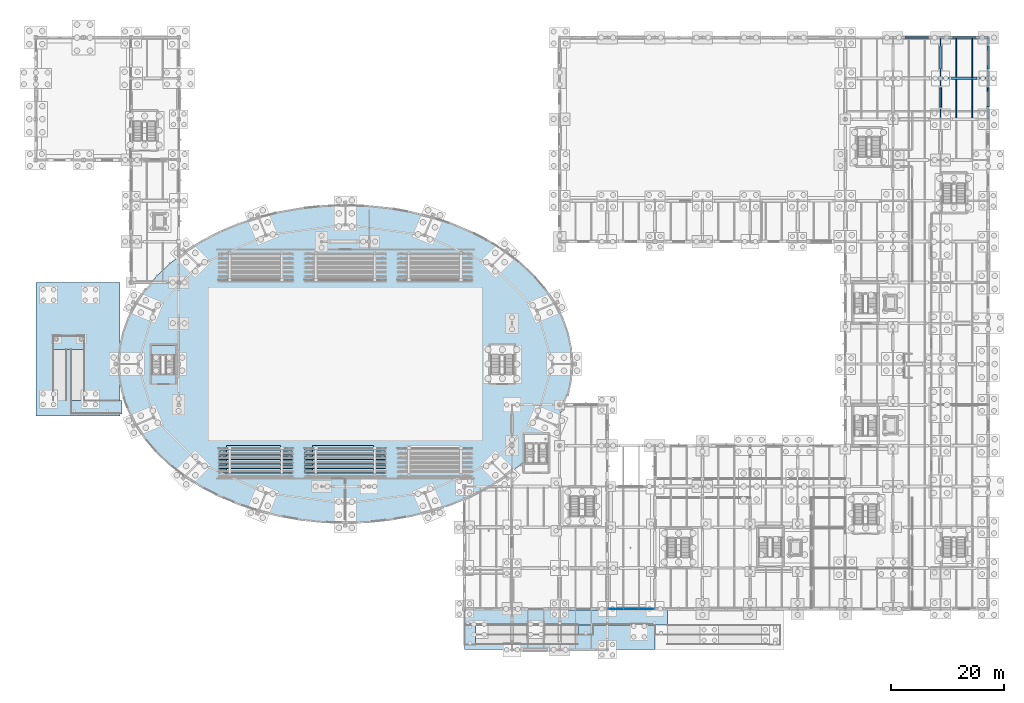
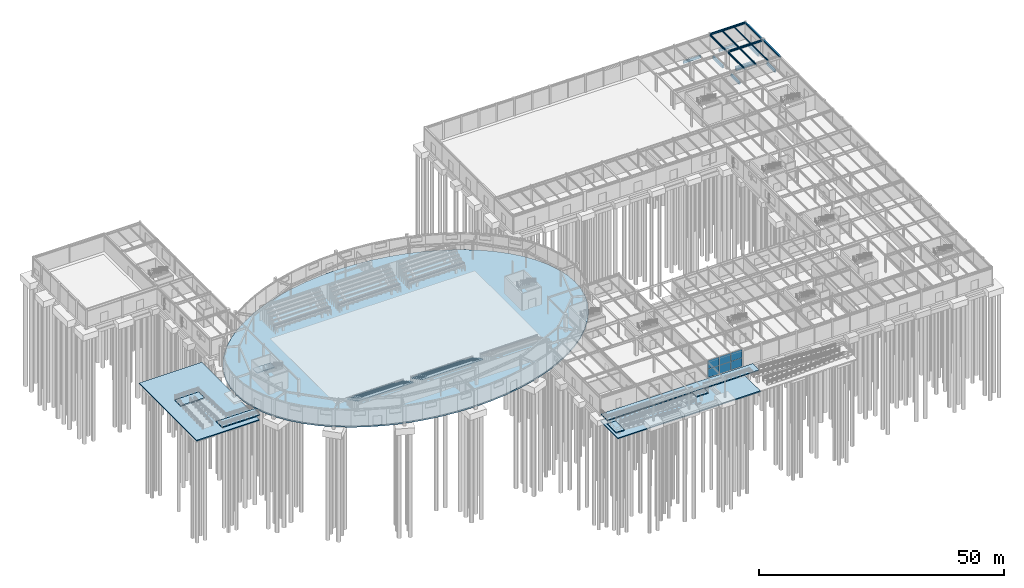
# One storey, part 48 of 93: 21 slabs, 17 beams, 6 plates, 4 elements without a shape of their own.
"""IFC4 building model written with IfcOpenShell, lengths in metres."""

import ifcopenshell
import ifcopenshell.guid

model = None  # the IFC model being written
_history = None  # IfcOwnerHistory: only IFC2X3 demands one
_inside = {}  # id of a spatial element -> (the spatial element, [elements in it])
_under = {}  # id of a project, library or spatial element -> (it, [spatial elements below it])
_declared = {}  # id of a project -> (the project, [libraries it declares])
_typed = {}  # id of a type object -> (the type object, [elements of that type])
_made_of = {}  # id of a material, layer set ... -> (it, [elements and type objects made of it])


def new_model(schema):
    """Start an empty IFC model of exactly this schema.

    Asked for "IFC4X3", IfcOpenShell would pick the latest addendum, in which some entities
    have other attributes; the version numbers below select the first issue.
    IFC2X3 requires an IfcOwnerHistory on every rooted entity: one is made here for all.
    """
    global model, _history
    if schema == "IFC4X3":
        model = ifcopenshell.file(schema_version=(4, 3, 0, 0))
    else:
        model = ifcopenshell.file(schema=schema)
    _inside.clear()
    _under.clear()
    _declared.clear()
    _typed.clear()
    _made_of.clear()
    _history = None
    if model.schema == "IFC2X3":
        org = make("IfcOrganization", Name="unknown")
        user = make(
            "IfcPersonAndOrganization",
            ThePerson=make("IfcPerson", FamilyName="unknown"),
            TheOrganization=org,
        )
        app = make(
            "IfcApplication",
            ApplicationDeveloper=org,
            Version="unknown",
            ApplicationFullName="unknown",
            ApplicationIdentifier="unknown",
        )
        _history = make(
            "IfcOwnerHistory",
            OwningUser=user,
            OwningApplication=app,
            ChangeAction="ADDED",
            CreationDate=0,
        )
    return model


def make(cls, **values):
    """One entity of the class cls with the attributes given. An attribute that is None is left unset."""
    return model.create_entity(
        cls, **{name: value for name, value in values.items() if value is not None}
    )


def rooted(cls, **values):
    """An entity with a GlobalId (a new one), such as an element, a storey or a relation."""
    return make(cls, GlobalId=ifcopenshell.guid.new(), OwnerHistory=_history, **values)


def si_unit(unit_type, name, prefix=None):
    """IfcSIUnit, for example si_unit("LENGTHUNIT", "METRE", prefix="MILLI")."""
    return make("IfcSIUnit", UnitType=unit_type, Prefix=prefix, Name=name)


def derived_unit(unit_type, elements):
    """IfcDerivedUnit: a product of units, each with its exponent."""
    return make(
        "IfcDerivedUnit",
        Elements=[
            make("IfcDerivedUnitElement", Unit=unit, Exponent=power)
            for unit, power in elements
        ],
        UnitType=unit_type,
    )


def assignment(units):
    """IfcUnitAssignment: the units of a project."""
    return None if units is None else make("IfcUnitAssignment", Units=units)


def point(xyz):
    """IfcCartesianPoint."""
    return None if xyz is None else make("IfcCartesianPoint", Coordinates=xyz)


def direction(xyz):
    """IfcDirection."""
    return None if xyz is None else make("IfcDirection", DirectionRatios=xyz)


def frame(location, z_axis=None, x_axis=None):
    """IfcAxis2Placement3D, a coordinate frame: its origin and axes. An axis left out is left unset."""
    return make(
        "IfcAxis2Placement3D",
        Location=point(location),
        Axis=direction(z_axis),
        RefDirection=direction(x_axis),
    )


def frame_2d(location, x_axis=None):
    """IfcAxis2Placement2D, a coordinate frame in the plane: its origin and x axis."""
    return make(
        "IfcAxis2Placement2D", Location=point(location), RefDirection=direction(x_axis)
    )


def origin():
    """The frame at (0, 0, 0) with its axes left unset."""
    return frame((0.0, 0.0, 0.0))


def origin_2d():
    """The frame at (0, 0) in the plane with its x axis left unset."""
    return frame_2d((0.0, 0.0))


def place(relative_to, where):
    """IfcLocalPlacement: puts the frame where relative to a parent placement (None: the world)."""
    return make(
        "IfcLocalPlacement", PlacementRelTo=relative_to, RelativePlacement=where
    )


def context(
    kind, dimensions, precision=None, world=None, true_north=None, identifier=None
):
    """IfcGeometricRepresentationContext, for example the 3D "Model" context."""
    return make(
        "IfcGeometricRepresentationContext",
        ContextIdentifier=identifier,
        ContextType=kind,
        CoordinateSpaceDimension=dimensions,
        Precision=precision,
        WorldCoordinateSystem=world,
        TrueNorth=true_north,
    )


def subcontext(parent, identifier, kind, view, scale=None):
    """IfcGeometricRepresentationSubContext, for example "Body" below "Model"."""
    return make(
        "IfcGeometricRepresentationSubContext",
        ContextIdentifier=identifier,
        ContextType=kind,
        ParentContext=parent,
        TargetScale=scale,
        TargetView=view,
    )


def project(units=None, contexts=None):
    """IfcProject with its units and contexts."""
    return rooted(
        "IfcProject",
        Name="project",
        RepresentationContexts=contexts,
        UnitsInContext=assignment(units),
    )


def spatial(cls, under=None, at=None, **own):
    """A site, building, storey or space (cls), placed at a placement, below another one or the project."""
    s = rooted(cls, ObjectPlacement=at, **own)
    if under is not None:
        _under.setdefault(under.id(), (under, []))[1].append(s)
    return s


def polyline(points):
    """IfcPolyline through the points."""
    return make("IfcPolyline", Points=[point(p) for p in points])


def profile(cls, at=None, kind="AREA", **sizes):
    """A parametric profile (cls). Its sizes go by their IFC names, for example OverallWidth=200.0."""
    return make(cls, ProfileType=kind, Position=at, **sizes)


def rectangle(**sizes):
    """IfcRectangleProfileDef."""
    return profile("IfcRectangleProfileDef", **sizes)


def i_section(**sizes):
    """IfcIShapeProfileDef."""
    return profile("IfcIShapeProfileDef", **sizes)


def outline(outer, holes=None, kind="AREA"):
    """IfcArbitraryClosedProfileDef: a profile drawn as a closed curve; with holes, ...WithVoids."""
    if holes is None:
        return make("IfcArbitraryClosedProfileDef", ProfileType=kind, OuterCurve=outer)
    return make(
        "IfcArbitraryProfileDefWithVoids",
        ProfileType=kind,
        OuterCurve=outer,
        InnerCurves=holes,
    )


def extrude(swept, where, along, depth):
    """IfcExtrudedAreaSolid: the profile swept, set in the frame where, extruded along a direction by depth."""
    return make(
        "IfcExtrudedAreaSolid",
        SweptArea=swept,
        Position=where,
        ExtrudedDirection=direction(along),
        Depth=depth,
    )


def shape(context_of_items, identifier, shape_type, items):
    """IfcShapeRepresentation: the items that make up one representation, for example the "Body"."""
    return make(
        "IfcShapeRepresentation",
        ContextOfItems=context_of_items,
        RepresentationIdentifier=identifier,
        RepresentationType=shape_type,
        Items=items,
    )


def material(Name=None, Category=None):
    """IfcMaterial."""
    return make("IfcMaterial", Name=Name, Category=Category)


def layer(
    of_material, thickness, ventilated=None, Name=None, Category=None, Priority=None
):
    """IfcMaterialLayer: one layer of a wall or slab, of a material (None: an air gap)."""
    return make(
        "IfcMaterialLayer",
        Material=of_material,
        LayerThickness=thickness,
        IsVentilated=ventilated,
        Name=Name,
        Category=Category,
        Priority=Priority,
    )


def layer_set(layers, Name=None):
    """IfcMaterialLayerSet."""
    return make("IfcMaterialLayerSet", MaterialLayers=layers, LayerSetName=Name)


def material_profile(
    of_material, cross_section, Name=None, Category=None, Priority=None
):
    """IfcMaterialProfile: a cross section and its material."""
    return make(
        "IfcMaterialProfile",
        Name=Name,
        Material=of_material,
        Profile=cross_section,
        Priority=Priority,
        Category=Category,
    )


def profile_set(profiles, Name=None, composite=None):
    """IfcMaterialProfileSet."""
    return make(
        "IfcMaterialProfileSet",
        Name=Name,
        MaterialProfiles=profiles,
        CompositeProfile=composite,
    )


def made_of(thing, what):
    """Note that an element or type object is made of a material, layer set ...; save() writes the relation."""
    if what is not None:
        _made_of.setdefault(what.id(), (what, []))[1].append(thing)
    return thing


def type_object(cls, material=None, **own):
    """A type object (cls), such as IfcWallType, which elements share."""
    return made_of(rooted(cls, **own), material)


def element(
    cls,
    number,
    at=None,
    inside=None,
    cuts=None,
    type_object=None,
    material=None,
    context=None,
    identifier="Body",
    shape_type=None,
    held_by="IfcProductDefinitionShape",
    body=None,
    shapes=None,
    **own,
):
    """One element of the class cls, such as IfcWall. Its Tag is "e" and its number.

    at: its placement. inside: the storey or other place that contains it. cuts: it is an
    opening in that element (IfcRelVoidsElement). A single representation is given by context,
    identifier, shape_type and body (its items); several are given by shapes. held_by: the class
    of the entity that holds the representations. save() writes the other relations.
    """
    e = rooted(cls, Tag="e%d" % number, ObjectPlacement=at, **own)
    if body is not None:
        shapes = [shape(context, identifier, shape_type, body)]
    if shapes is not None:
        e.Representation = make(held_by, Representations=shapes)
    if inside is not None:
        _inside.setdefault(inside.id(), (inside, []))[1].append(e)
    if cuts is not None:
        rooted(
            "IfcRelVoidsElement", RelatingBuildingElement=cuts, RelatedOpeningElement=e
        )
    if type_object is not None:
        _typed.setdefault(type_object.id(), (type_object, []))[1].append(e)
    return made_of(e, material)


def aggregate(whole, parts):
    """IfcRelAggregates: a whole, such as a stair, and the parts it consists of."""
    return rooted("IfcRelAggregates", RelatingObject=whole, RelatedObjects=parts)


def save(model, path):
    """Write the relations noted so far, then the file.

    IfcRelAggregates (storeys below a building ...), IfcRelContainedInSpatialStructure (elements
    in a storey), IfcRelDefinesByType, IfcRelAssociatesMaterial and IfcRelDeclares: one each for
    every whole, place, type object, material and project.
    """
    for whole, parts in _under.values():
        aggregate(whole, parts)
    for where, things in _inside.values():
        rooted(
            "IfcRelContainedInSpatialStructure",
            RelatedElements=things,
            RelatingStructure=where,
        )
    for kind, things in _typed.values():
        rooted("IfcRelDefinesByType", RelatedObjects=things, RelatingType=kind)
    for what, things in _made_of.values():
        rooted("IfcRelAssociatesMaterial", RelatedObjects=things, RelatingMaterial=what)
    for by, libraries in _declared.values():
        rooted("IfcRelDeclares", RelatingContext=by, RelatedDefinitions=libraries)
    model.write(path)


model = new_model("IFC4")

# Units and contexts
model_context = context("Model", 3, precision=1e-05, world=origin(), true_north=direction((0.0, 1.0)))
body_context = subcontext(model_context, "Body", "Model", "MODEL_VIEW")
ifc_project = project(units=[si_unit("LENGTHUNIT", "METRE"), si_unit("AREAUNIT", "SQUARE_METRE"), si_unit("VOLUMEUNIT", "CUBIC_METRE"), si_unit("PLANEANGLEUNIT", "RADIAN"), si_unit("MASSUNIT", "GRAM", prefix="KILO"), derived_unit("THERMALTRANSMITTANCEUNIT", [(si_unit("MASSUNIT", "GRAM", prefix="KILO"), 1), (si_unit("TIMEUNIT", "SECOND"), -3), (si_unit("THERMODYNAMICTEMPERATUREUNIT", "KELVIN"), -1)])], contexts=[model_context])

# Site, building, storey
site_placement = place(None, origin())
site = spatial("IfcSite", under=ifc_project, at=site_placement, CompositionType="ELEMENT")
building_placement = place(site_placement, origin())
building = spatial("IfcBuilding", under=site, at=building_placement, Name="Kharveza Railside Sports Centre", CompositionType="ELEMENT")
storey_placement = place(building_placement, origin())
storey = spatial("IfcBuildingStorey", under=building, at=storey_placement, Name="L00", CompositionType="ELEMENT", Elevation=0.0)

# Beams
ifc_material_1 = material(Name="Steel S355J2", Category="steel")
ifc_material_profile_1 = material_profile(ifc_material_1, i_section(OverallWidth=0.18994140625, OverallDepth=0.449951171875, WebThickness=0.009521484375, FlangeThickness=0.0146484375, FilletRadius=0.02099609375, at=origin_2d()), Name="IPE 450")
ifc_profile_set_1 = profile_set([ifc_material_profile_1], Name="Steel S355J2")
beam_type_1 = type_object("IfcBeamType", Name="BM-G04", PredefinedType="T_BEAM", material=ifc_profile_set_1)
for number, where, z_axis, x_axis, name in (
    (1, (159.60009765625, 93.60009765625, 4.094970703125), (0.0, 1.0, 0.0), (-1.0, 0.0, 0.0), "BM-NS-L00-B04-X1596-Y936"),
    (2, (159.60009765625, 100.800048828125, 3.9951171875), (0.0, 1.0, 0.0), (-1.0, 0.0, 0.0), "BM-NS-L00-B04-X1596-Y1008"),
):
    element("IfcBeam", number, at=place(storey_placement, frame(where, z_axis=z_axis, x_axis=x_axis)), inside=storey, type_object=beam_type_1, Name=name, PredefinedType="T_BEAM", context=body_context, shape_type="SweptSolid", body=[
        extrude(i_section(OverallWidth=0.18994140625, OverallDepth=0.449951171875, WebThickness=0.009521484375, FlangeThickness=0.0146484375, FilletRadius=0.02099609375, at=origin_2d()), origin(), (0.0, 0.0, 1.0), 7.199951171875),
    ])
ifc_material_profile_2 = material_profile(ifc_material_1, i_section(OverallWidth=0.300048828125, OverallDepth=0.449951171875, WebThickness=0.013916015625, FlangeThickness=0.02587890625, FilletRadius=0.027099609375, at=origin_2d()), Name="HEB 450")
ifc_profile_set_2 = profile_set([ifc_material_profile_2], Name="Steel S355J2")
beam_type_2 = type_object("IfcBeamType", Name="BM-G06", PredefinedType="T_BEAM", material=ifc_profile_set_2)
beam_1_placement = place(storey_placement, frame((159.60009765625, 100.800048828125, 3.9951171875), z_axis=(1.0, 0.0, 0.0), x_axis=(0.0, 1.0, 0.0)))
element("IfcBeam", 3, at=beam_1_placement, inside=storey, type_object=beam_type_2, Name="BM-EW-L00-B06-X1596-Y1008", PredefinedType="T_BEAM", context=body_context, shape_type="SweptSolid", body=[
    extrude(i_section(OverallWidth=0.300048828125, OverallDepth=0.449951171875, WebThickness=0.013916015625, FlangeThickness=0.02587890625, FilletRadius=0.027099609375, at=origin_2d()), origin(), (0.0, 0.0, 1.0), 8.39990234375),
])
ifc_material_2 = material(Name="Concrete C35/45", Category="concrete")
ifc_material_profile_3 = material_profile(ifc_material_2, rectangle(XDim=0.39990234375, YDim=0.64990234375, at=origin_2d()), Name="RCB 400x650")
ifc_profile_set_3 = profile_set([ifc_material_profile_3], Name="Concrete C35/45")
beam_type_3 = type_object("IfcBeamType", Name="BM-RC02", PredefinedType="BEAM", material=ifc_profile_set_3)
for number, where, z_axis, x_axis, name in (
    (4, (159.60009765625, 102.4599609375, -0.7451171875), (0.0, 1.0, 0.0), (-1.0, 0.0, 0.0), "BM-PLINTH-NS-B26-X1596-Y1008-1"),
    (5, (168.0, 102.4599609375, -0.7451171875), (0.0, 1.0, 0.0), (-1.0, 0.0, 0.0), "BM-PLINTH-NS-B26-X1680-Y1008-1"),
):
    element("IfcBeam", number, at=place(storey_placement, frame(where, z_axis=z_axis, x_axis=x_axis)), inside=storey, type_object=beam_type_3, Name=name, PredefinedType="BEAM", context=body_context, shape_type="SweptSolid", body=[
        extrude(rectangle(XDim=0.39990234375, YDim=0.64990234375, at=origin_2d()), origin(), (0.0, 0.0, 1.0), 4.080078125),
    ])
ifc_material_profile_4 = material_profile(ifc_material_2, rectangle(XDim=0.449951171875, YDim=0.85009765625, at=origin_2d()), Name="RCB 450x850")
ifc_profile_set_4 = profile_set([ifc_material_profile_4], Name="Concrete C35/45")
beam_type_4 = type_object("IfcBeamType", Name="BM-RC05", PredefinedType="T_BEAM", material=ifc_profile_set_4)
beam_2_placement = place(storey_placement, frame((161.56005859375, 100.800048828125, -0.844970703125), z_axis=(1.0, 0.0, 0.0), x_axis=(0.0, 1.0, 0.0)))
element("IfcBeam", 6, at=beam_2_placement, inside=storey, type_object=beam_type_4, Name="BM-PLINTH-EW-B29-X1596-Y1008-1", PredefinedType="T_BEAM", context=body_context, shape_type="SweptSolid", body=[
    extrude(rectangle(XDim=0.449951171875, YDim=0.85009765625, at=origin_2d()), origin(), (0.0, 0.0, 1.0), 4.47998046875),
])
ifc_material_profile_5 = material_profile(ifc_material_2, rectangle(XDim=0.35009765625, YDim=0.60009765625, at=origin_2d()), Name="RCB 350x600")
ifc_profile_set_5 = profile_set([ifc_material_profile_5], Name="Concrete C35/45")
beam_type_5 = type_object("IfcBeamType", Name="BM-RC06", PredefinedType="BEAM", material=ifc_profile_set_5)
beam_3_placement = place(storey_placement, frame((159.60009765625, 95.735107421875, -0.719970703125), z_axis=(0.0, 1.0, 0.0), x_axis=(-1.0, 0.0, 0.0)))
element("IfcBeam", 7, at=beam_3_placement, inside=storey, type_object=beam_type_5, Name="BM-PLINTH-NS-B30-X1596-Y936-1", PredefinedType="BEAM", context=body_context, shape_type="SweptSolid", body=[
    extrude(rectangle(XDim=0.35009765625, YDim=0.60009765625, at=origin_2d()), origin(), (0.0, 0.0, 1.0), 3.40478515625),
])
beam_4_placement = place(storey_placement, frame((168.0, 95.760009765625, -0.719970703125), z_axis=(0.0, 1.0, 0.0), x_axis=(-1.0, 0.0, 0.0)))
element("IfcBeam", 8, at=beam_4_placement, inside=storey, type_object=beam_type_5, Name="BM-PLINTH-NS-B30-X1680-Y936-1", PredefinedType="BEAM", context=body_context, shape_type="SweptSolid", body=[
    extrude(rectangle(XDim=0.35009765625, YDim=0.60009765625, at=origin_2d()), origin(), (0.0, 0.0, 1.0), 3.3798828125),
])
ifc_material_3 = material(Name="Precast concrete C40/50", Category="concrete")
ifc_material_profile_6 = material_profile(ifc_material_3, rectangle(XDim=0.300048828125, YDim=0.64990234375, at=origin_2d()), Name="RCB 300x650")
ifc_profile_set_6 = profile_set([ifc_material_profile_6], Name="Precast concrete C40/50")
beam_type_6 = type_object("IfcBeamType", Name="BM-RC08", PredefinedType="SPANDREL", material=ifc_profile_set_6)
beam_5_placement = place(storey_placement, frame((153.360107421875, 108.0, -0.7451171875), z_axis=(1.0, 0.0, 0.0), x_axis=(0.0, 1.0, 0.0)))
element("IfcBeam", 9, at=beam_5_placement, inside=storey, type_object=beam_type_6, Name="BM-PLINTH-EW-B32-X1512-Y1080-1", PredefinedType="SPANDREL", context=body_context, shape_type="SweptSolid", body=[
    extrude(rectangle(XDim=0.300048828125, YDim=0.64990234375, at=origin_2d()), origin(), (0.0, 0.0, 1.0), 4.079833984375),
])
beam_6_placement = place(storey_placement, frame((161.760009765625, 108.0, -0.7451171875), z_axis=(1.0, 0.0, 0.0), x_axis=(0.0, 1.0, 0.0)))
element("IfcBeam", 10, at=beam_6_placement, inside=storey, type_object=beam_type_6, Name="BM-PLINTH-EW-B32-X1596-Y1080-1", PredefinedType="SPANDREL", context=body_context, shape_type="SweptSolid", body=[
    extrude(rectangle(XDim=0.300048828125, YDim=0.64990234375, at=origin_2d()), origin(), (0.0, 0.0, 1.0), 4.080078125),
])
ifc_material_profile_7 = material_profile(ifc_material_1, i_section(OverallWidth=0.179931640625, OverallDepth=0.39990234375, WebThickness=0.008544921875, FlangeThickness=0.013427734375, FilletRadius=0.02099609375, at=origin_2d()), Name="IPE 400")
ifc_profile_set_7 = profile_set([ifc_material_profile_7], Name="Steel S355J2")
beam_type_7 = type_object("IfcBeamType", Name="BM-S01", PredefinedType="BEAM", material=ifc_profile_set_7)
beam_7_placement = place(storey_placement, frame((162.39990234375, 93.701904296875, 4.02001953125), z_axis=(0.0, 1.0, 0.0), x_axis=(-1.0, 0.0, 0.0)))
element("IfcBeam", 11, at=beam_7_placement, inside=storey, type_object=beam_type_7, Name="BM-SEC-L00-B09-X1624-Y936", PredefinedType="BEAM", context=body_context, shape_type="SweptSolid", body=[
    extrude(i_section(OverallWidth=0.179931640625, OverallDepth=0.39990234375, WebThickness=0.008544921875, FlangeThickness=0.013427734375, FilletRadius=0.02099609375, at=origin_2d()), origin(), (0.0, 0.0, 1.0), 6.951171875),
])
ifc_material_profile_8 = material_profile(ifc_material_1, i_section(OverallWidth=0.159912109375, OverallDepth=0.330078125, WebThickness=0.007568359375, FlangeThickness=0.011474609375, FilletRadius=0.01806640625, at=origin_2d()), Name="IPE 330")
ifc_profile_set_8 = profile_set([ifc_material_profile_8], Name="Steel S355J2")
beam_type_8 = type_object("IfcBeamType", Name="BM-S03", PredefinedType="BEAM", material=ifc_profile_set_8)
beam_8_placement = place(storey_placement, frame((165.199951171875, 93.701904296875, 4.054931640625), z_axis=(0.0, 1.0, 0.0), x_axis=(-1.0, 0.0, 0.0)))
element("IfcBeam", 12, at=beam_8_placement, inside=storey, type_object=beam_type_8, Name="BM-SEC-L00-B11-X1652-Y936", PredefinedType="BEAM", context=body_context, shape_type="SweptSolid", body=[
    extrude(i_section(OverallWidth=0.159912109375, OverallDepth=0.330078125, WebThickness=0.007568359375, FlangeThickness=0.011474609375, FilletRadius=0.01806640625, at=origin_2d()), origin(), (0.0, 0.0, 1.0), 6.951171875),
])
beam_9_placement = place(storey_placement, frame((162.39990234375, 100.947021484375, 4.054931640625), z_axis=(0.0, 1.0, 0.0), x_axis=(-1.0, 0.0, 0.0)))
element("IfcBeam", 13, at=beam_9_placement, inside=storey, type_object=beam_type_8, Name="BM-SEC-L00-B11-X1624-Y1008", PredefinedType="BEAM", context=body_context, shape_type="SweptSolid", body=[
    extrude(i_section(OverallWidth=0.159912109375, OverallDepth=0.330078125, WebThickness=0.007568359375, FlangeThickness=0.011474609375, FilletRadius=0.01806640625, at=origin_2d()), origin(), (0.0, 0.0, 1.0), 6.906005859375),
])
ifc_material_profile_9 = material_profile(ifc_material_1, i_section(OverallWidth=0.135009765625, OverallDepth=0.27001953125, WebThickness=0.006591796875, FlangeThickness=0.01025390625, FilletRadius=0.014892578125, at=origin_2d()), Name="IPE 270")
ifc_profile_set_9 = profile_set([ifc_material_profile_9], Name="Steel S355J2")
beam_type_9 = type_object("IfcBeamType", Name="BM-S05", PredefinedType="BEAM", material=ifc_profile_set_9)
beam_10_placement = place(storey_placement, frame((165.199951171875, 100.947021484375, 4.0849609375), z_axis=(0.0, 1.0, 0.0), x_axis=(-1.0, 0.0, 0.0)))
element("IfcBeam", 14, at=beam_10_placement, inside=storey, type_object=beam_type_9, Name="BM-SEC-L00-B13-X1652-Y1008", PredefinedType="BEAM", context=body_context, shape_type="SweptSolid", body=[
    extrude(i_section(OverallWidth=0.135009765625, OverallDepth=0.27001953125, WebThickness=0.006591796875, FlangeThickness=0.01025390625, FilletRadius=0.014892578125, at=origin_2d()), origin(), (0.0, 0.0, 1.0), 6.906005859375),
])
ifc_material_profile_10 = material_profile(ifc_material_1, i_section(OverallWidth=0.300048828125, OverallDepth=0.43994140625, WebThickness=0.011474609375, FlangeThickness=0.02099609375, FilletRadius=0.027099609375, at=origin_2d()), Name="HEA 450")
ifc_profile_set_10 = profile_set([ifc_material_profile_10], Name="Steel S355J2")
beam_type_10 = type_object("IfcBeamType", Name="BM-SP01", PredefinedType="SPANDREL", material=ifc_profile_set_10)
beam_11_placement = place(storey_placement, frame((159.60009765625, 108.0, 4.0), z_axis=(1.0, 0.0, 0.0), x_axis=(0.0, 1.0, 0.0)))
element("IfcBeam", 15, at=beam_11_placement, inside=storey, type_object=beam_type_10, Name="BM-EW-L00-B15-X1596-Y1080", PredefinedType="SPANDREL", context=body_context, shape_type="SweptSolid", body=[
    extrude(i_section(OverallWidth=0.300048828125, OverallDepth=0.43994140625, WebThickness=0.011474609375, FlangeThickness=0.02099609375, FilletRadius=0.027099609375, at=origin_2d()), origin(), (0.0, 0.0, 1.0), 8.39990234375),
])
for number, where, z_axis, x_axis, name in (
    (16, (168.0, 93.60009765625, 4.10009765625), (0.0, 1.0, 0.0), (-1.0, 0.0, 0.0), "BM-NS-L00-B15-X1680-Y936"),
    (17, (168.0, 100.800048828125, 4.0), (0.0, 1.0, 0.0), (-1.0, 0.0, 0.0), "BM-NS-L00-B15-X1680-Y1008"),
):
    element("IfcBeam", number, at=place(storey_placement, frame(where, z_axis=z_axis, x_axis=x_axis)), inside=storey, type_object=beam_type_10, Name=name, PredefinedType="SPANDREL", context=body_context, shape_type="SweptSolid", body=[
        extrude(i_section(OverallWidth=0.300048828125, OverallDepth=0.43994140625, WebThickness=0.011474609375, FlangeThickness=0.02099609375, FilletRadius=0.027099609375, at=origin_2d()), origin(), (0.0, 0.0, 1.0), 7.199951171875),
    ])

# Curtain wall, plates
ifc_material_4 = material(Name="Low-E solar-control laminated glass", Category="glass")
curtain_wall_type = type_object("IfcCurtainWallType", Name="CW-WG03", PredefinedType="NOTDEFINED", material=ifc_material_4)
curtain_wall_placement = place(storey_placement, origin())
curtain_wall = element("IfcCurtainWall", 18, at=curtain_wall_placement, inside=storey, type_object=curtain_wall_type, Name="CW-WG-L00-CW-WG03-X1050-Y72", PredefinedType="NOTDEFINED")
ifc_layer_1 = layer(ifc_material_4, 0.0380859375, Name="Low-E solar-control laminated glass")
ifc_layer_set_1 = layer_set([ifc_layer_1], Name="Low-E solar-control laminated glass")
plate_type = type_object("IfcPlateType", Name="PL-CP03", PredefinedType="CURTAIN_PANEL", material=ifc_layer_set_1)
plate_1_placement = place(storey_placement, frame((102.280029296875, 7.199951171875, 0.02001953125), z_axis=(0.0, 0.0, 1.0), x_axis=(1.0, 0.0, 0.0)))
plate_1 = element("IfcPlate", 19, at=plate_1_placement, type_object=plate_type, Name="CW-WG-L00-CW-WG03-X1050-Y72-PN11", PredefinedType="CURTAIN_PANEL", context=body_context, shape_type="SweptSolid", body=[
    extrude(rectangle(XDim=2.679931640625, YDim=0.0380859375, at=origin_2d()), origin(), (0.0, 0.0, 1.0), 2.1201171875),
])
plate_2_placement = place(storey_placement, frame((102.280029296875, 7.199951171875, 2.179931640625), z_axis=(0.0, 0.0, 1.0), x_axis=(1.0, 0.0, 0.0)))
plate_2 = element("IfcPlate", 20, at=plate_2_placement, type_object=plate_type, Name="CW-WG-L00-CW-WG03-X1050-Y72-PN12", PredefinedType="CURTAIN_PANEL", context=body_context, shape_type="SweptSolid", body=[
    extrude(rectangle(XDim=2.679931640625, YDim=0.0380859375, at=origin_2d()), origin(), (0.0, 0.0, 1.0), 2.1201171875),
])
plate_3_placement = place(storey_placement, frame((105.0, 7.199951171875, 0.02001953125), z_axis=(0.0, 0.0, 1.0), x_axis=(1.0, 0.0, 0.0)))
plate_3 = element("IfcPlate", 21, at=plate_3_placement, type_object=plate_type, Name="CW-WG-L00-CW-WG03-X1050-Y72-PN21", PredefinedType="CURTAIN_PANEL", context=body_context, shape_type="SweptSolid", body=[
    extrude(rectangle(XDim=2.679931640625, YDim=0.0380859375, at=origin_2d()), origin(), (0.0, 0.0, 1.0), 2.1201171875),
])
plate_4_placement = place(storey_placement, frame((105.0, 7.199951171875, 2.179931640625), z_axis=(0.0, 0.0, 1.0), x_axis=(1.0, 0.0, 0.0)))
plate_4 = element("IfcPlate", 22, at=plate_4_placement, type_object=plate_type, Name="CW-WG-L00-CW-WG03-X1050-Y72-PN22", PredefinedType="CURTAIN_PANEL", context=body_context, shape_type="SweptSolid", body=[
    extrude(rectangle(XDim=2.679931640625, YDim=0.0380859375, at=origin_2d()), origin(), (0.0, 0.0, 1.0), 2.1201171875),
])
plate_5_placement = place(storey_placement, frame((107.719970703125, 7.199951171875, 0.02001953125), z_axis=(0.0, 0.0, 1.0), x_axis=(1.0, 0.0, 0.0)))
plate_5 = element("IfcPlate", 23, at=plate_5_placement, type_object=plate_type, Name="CW-WG-L00-CW-WG03-X1050-Y72-PN31", PredefinedType="CURTAIN_PANEL", context=body_context, shape_type="SweptSolid", body=[
    extrude(rectangle(XDim=2.679931640625, YDim=0.0380859375, at=origin_2d()), origin(), (0.0, 0.0, 1.0), 2.1201171875),
])
plate_6_placement = place(storey_placement, frame((107.719970703125, 7.199951171875, 2.179931640625), z_axis=(0.0, 0.0, 1.0), x_axis=(1.0, 0.0, 0.0)))
plate_6 = element("IfcPlate", 24, at=plate_6_placement, type_object=plate_type, Name="CW-WG-L00-CW-WG03-X1050-Y72-PN32", PredefinedType="CURTAIN_PANEL", context=body_context, shape_type="SweptSolid", body=[
    extrude(rectangle(XDim=2.679931640625, YDim=0.0380859375, at=origin_2d()), origin(), (0.0, 0.0, 1.0), 2.1201171875),
])
aggregate(curtain_wall, [plate_1, plate_2, plate_3, plate_4, plate_5, plate_6])

# Slabs
ifc_layer_2 = layer(ifc_material_2, 0.260009765625, Name="Concrete C35/45")
ifc_layer_set_2 = layer_set([ifc_layer_2], Name="Concrete C35/45")
slab_type_1 = type_object("IfcSlabType", Name="SL-BS260", PredefinedType="BASESLAB", material=ifc_layer_set_2)
slab_1_placement = place(storey_placement, frame((0.0, 0.0, -2.06005859375)))
element("IfcSlab", 25, at=slab_1_placement, inside=storey, type_object=slab_type_1, Name="SLB-L00-APRON", PredefinedType="BASESLAB", context=body_context, shape_type="SweptSolid", body=[
    extrude(outline(polyline([(75.60009765625, 0.0), (109.199951171875, 0.0), (109.199951171875, 7.199951171875), (75.60009765625, 7.199951171875), (75.60009765625, 0.0)])), origin(), (0.0, 0.0, 1.0), 0.260009765625),
])
slab_2_placement = place(storey_placement, frame((0.0, 0.0, -1.159912109375)))
element("IfcSlab", 26, at=slab_2_placement, inside=storey, type_object=slab_type_1, Name="SLB-L00-APRONW", PredefinedType="BASESLAB", context=body_context, shape_type="SweptSolid", body=[
    extrude(outline(polyline([(0.0, 41.199951171875), (14.800048828125, 41.199951171875), (14.800048828125, 64.800048828125), (0.0, 64.800048828125), (0.0, 41.199951171875)])), origin(), (0.0, 0.0, 1.0), 0.260009765625),
])
ifc_layer_3 = layer(ifc_material_2, 0.35009765625, Name="Concrete C35/45")
ifc_layer_set_3 = layer_set([ifc_layer_3], Name="Concrete C35/45")
slab_type_2 = type_object("IfcSlabType", Name="SL-BS350", PredefinedType="BASESLAB", material=ifc_layer_set_3)
slab_3_placement = place(storey_placement, frame((0.0, 0.0, -0.35009765625)))
element("IfcSlab", 27, at=slab_3_placement, inside=storey, type_object=slab_type_2, Name="SLB-L00-DRUM", PredefinedType="BASESLAB", context=body_context, shape_type="SweptSolid", body=[
    extrude(outline(polyline([(94.60009765625, 50.39990234375), (94.407470703125, 53.14453125), (93.831298828125, 55.862548828125), (92.877685546875, 58.528076171875), (91.55517578125, 61.115234375), (89.876953125, 63.59912109375), (87.85888671875, 65.9560546875), (85.5205078125, 68.1630859375), (82.88427734375, 70.198974609375), (79.975830078125, 72.044189453125), (76.82275390625, 73.68115234375), (73.455810546875, 75.09375), (69.9072265625, 76.2685546875), (66.21142578125, 77.1943359375), (62.403564453125, 77.862060546875), (58.520751953125, 78.26513671875), (54.60009765625, 78.39990234375), (50.67919921875, 78.26513671875), (46.79638671875, 77.862060546875), (42.988525390625, 77.1943359375), (39.292724609375, 76.2685546875), (35.744140625, 75.09375), (32.377197265625, 73.68115234375), (29.224365234375, 72.044189453125), (26.315673828125, 70.198974609375), (23.6796875, 68.1630859375), (21.34130859375, 65.9560546875), (19.3232421875, 63.59912109375), (17.644775390625, 61.115234375), (16.322509765625, 58.528076171875), (15.36865234375, 55.862548828125), (14.792724609375, 53.14453125), (14.60009765625, 50.39990234375), (14.792724609375, 47.655517578125), (15.36865234375, 44.9375), (16.322509765625, 42.27197265625), (17.644775390625, 39.684814453125), (19.3232421875, 37.200927734375), (21.34130859375, 34.843994140625), (23.6796875, 32.636962890625), (26.315673828125, 30.60107421875), (29.224365234375, 28.755615234375), (32.377197265625, 27.118896484375), (35.744140625, 25.706298828125), (39.292724609375, 24.53125), (42.988525390625, 23.605712890625), (46.79638671875, 22.93798828125), (50.67919921875, 22.534912109375), (54.60009765625, 22.39990234375), (58.520751953125, 22.534912109375), (62.403564453125, 22.93798828125), (66.21142578125, 23.605712890625), (69.9072265625, 24.53125), (73.455810546875, 25.706298828125), (76.82275390625, 27.118896484375), (79.975830078125, 28.755615234375), (82.88427734375, 30.60107421875), (85.5205078125, 32.636962890625), (87.85888671875, 34.843994140625), (89.876953125, 37.200927734375), (91.55517578125, 39.684814453125), (92.877685546875, 42.27197265625), (93.831298828125, 44.9375), (94.407470703125, 47.655517578125), (94.60009765625, 50.39990234375)])), origin(), (0.0, 0.0, 1.0), 0.35009765625),
])

# Stair, slab
stair_type = type_object("IfcStairType", Name="ST-A45", PredefinedType="TWO_STRAIGHT_RUN_STAIR", material=ifc_material_2)
stair_placement = place(storey_placement, origin())
stair = element("IfcStair", 28, at=stair_placement, inside=storey, type_object=stair_type, Name="STR-ST7-L00", PredefinedType="TWO_STRAIGHT_RUN_STAIR")
ifc_layer_4 = layer(ifc_material_2, 0.18505859375, Name="Concrete C35/45")
ifc_layer_set_4 = layer_set([ifc_layer_4], Name="Concrete C35/45")
slab_type_3 = type_object("IfcSlabType", Name="SL-LD185", PredefinedType="LANDING", material=ifc_layer_set_4)
slab_4_placement = place(storey_placement, frame((0.0, 0.0, 2.06494140625)))
slab_4 = element("IfcSlab", 29, at=slab_4_placement, type_object=slab_type_3, Name="STR-ST7-L00-HLND", PredefinedType="LANDING", context=body_context, shape_type="SweptSolid", body=[
    extrude(outline(polyline([(20.405029296875, 51.9599609375), (24.594970703125, 51.9599609375), (24.594970703125, 53.794921875), (20.405029296875, 53.794921875), (20.405029296875, 51.9599609375)])), origin(), (0.0, 0.0, 1.0), 0.18505859375),
])
aggregate(stair, [slab_4])

# Slab
ifc_layer_5 = layer(ifc_material_2, 0.2099609375, Name="Concrete C35/45")
ifc_layer_set_5 = layer_set([ifc_layer_5], Name="Concrete C35/45")
slab_type_4 = type_object("IfcSlabType", Name="SL-LD210", PredefinedType="LANDING", material=ifc_layer_set_5)
slab_5_placement = place(storey_placement, frame((0.0, 0.0, -0.2099609375)))
element("IfcSlab", 30, at=slab_5_placement, inside=storey, type_object=slab_type_4, Name="South Entrance Flood-Plinth Portico Deck", PredefinedType="LANDING", context=body_context, shape_type="SweptSolid", body=[
    extrude(outline(polyline([(75.60009765625, 4.39990234375), (111.39990234375, 4.39990234375), (111.39990234375, 7.0), (75.60009765625, 7.0), (75.60009765625, 4.39990234375)])), origin(), (0.0, 0.0, 1.0), 0.2099609375),
])

# Ramp, slabs
ramp_type_1 = type_object("IfcRampType", Name="RM-AP01", PredefinedType="TWO_STRAIGHT_RUN_RAMP", material=ifc_material_2)
ramp_1_placement = place(storey_placement, origin())
ramp_1 = element("IfcRamp", 31, at=ramp_1_placement, inside=storey, type_object=ramp_type_1, Name="RMP-EXT-W", PredefinedType="TWO_STRAIGHT_RUN_RAMP")
slab_6_placement = place(storey_placement, frame((0.0, 0.0, -1.110107421875)))
slab_6 = element("IfcSlab", 32, at=slab_6_placement, type_object=slab_type_4, Name="RMP-EXT-W-LND1", PredefinedType="LANDING", context=body_context, shape_type="SweptSolid", body=[
    extrude(outline(polyline([(75.60009765625, 0.800048828125), (77.60009765625, 0.800048828125), (77.60009765625, 4.39990234375), (75.60009765625, 4.39990234375), (75.60009765625, 0.800048828125)])), origin(), (0.0, 0.0, 1.0), 0.210205078125),
])
slab_7_placement = place(storey_placement, frame((0.0, 0.0, -0.2099609375)))
slab_7 = element("IfcSlab", 33, at=slab_7_placement, type_object=slab_type_4, Name="RMP-EXT-W-LND2", PredefinedType="LANDING", context=body_context, shape_type="SweptSolid", body=[
    extrude(outline(polyline([(95.60009765625, 2.580078125), (98.39990234375, 2.580078125), (98.39990234375, 4.39990234375), (95.60009765625, 4.39990234375), (95.60009765625, 2.580078125)])), origin(), (0.0, 0.0, 1.0), 0.2099609375),
])
aggregate(ramp_1, [slab_6, slab_7])

ramp_type_2 = type_object("IfcRampType", Name="RM-EX02", PredefinedType="TWO_STRAIGHT_RUN_RAMP", material=ifc_material_2)
ramp_2_placement = place(storey_placement, origin())
ramp_2 = element("IfcRamp", 34, at=ramp_2_placement, inside=storey, type_object=ramp_type_2, Name="RMP-EXT-DRUMW", PredefinedType="TWO_STRAIGHT_RUN_RAMP")
slab_8_placement = place(storey_placement, frame((0.0, 0.0, -0.659912109375)))
slab_8 = element("IfcSlab", 35, at=slab_8_placement, type_object=slab_type_4, Name="RMP-EXT-DRUMW-LND1", PredefinedType="LANDING", context=body_context, shape_type="SweptSolid", body=[
    extrude(outline(polyline([(3.0, 53.0), (8.60009765625, 53.0), (8.60009765625, 55.39990234375), (3.0, 55.39990234375), (3.0, 53.0)])), origin(), (0.0, 0.0, 1.0), 0.2099609375),
])
slab_9_placement = place(storey_placement, frame((0.0, 0.0, -0.2099609375)))
slab_9 = element("IfcSlab", 36, at=slab_9_placement, type_object=slab_type_4, Name="RMP-EXT-DRUMW-LND2", PredefinedType="LANDING", context=body_context, shape_type="SweptSolid", body=[
    extrude(outline(polyline([(6.199951171875, 41.60009765625), (15.199951171875, 41.60009765625), (15.199951171875, 44.0), (6.199951171875, 44.0), (6.199951171875, 41.60009765625)])), origin(), (0.0, 0.0, 1.0), 0.2099609375),
])
aggregate(ramp_2, [slab_8, slab_9])

# Slabs
ifc_layer_6 = layer(ifc_material_3, 0.14990234375, Name="Precast concrete C40/50")
ifc_layer_set_6 = layer_set([ifc_layer_6], Name="Precast concrete C40/50")
slab_type_5 = type_object("IfcSlabType", Name="SL-ST150", PredefinedType="USERDEFINED", material=ifc_layer_set_6)
slab_10_placement = place(storey_placement, frame((0.0, 0.0, 3.570068359375)))
element("IfcSlab", 37, at=slab_10_placement, inside=storey, type_object=slab_type_5, Name="Spectator Seating Tier S2-S1", ObjectType="SEATING_TIER", PredefinedType="USERDEFINED", context=body_context, shape_type="SweptSolid", body=[
    extrude(outline(polyline([(32.199951171875, 31.199951171875), (45.39990234375, 31.199951171875), (45.39990234375, 31.659912109375), (43.199951171875, 31.659912109375), (43.199951171875, 32.0), (33.60009765625, 32.0), (33.60009765625, 31.719970703125), (32.199951171875, 31.719970703125), (32.199951171875, 31.199951171875)])), origin(), (0.0, 0.0, 1.0), 0.14990234375),
])
slab_11_placement = place(storey_placement, frame((0.0, 0.0, 3.570068359375)))
element("IfcSlab", 38, at=slab_11_placement, inside=storey, type_object=slab_type_5, Name="Spectator Seating Tier S2-S2", ObjectType="SEATING_TIER", PredefinedType="USERDEFINED", context=body_context, shape_type="SweptSolid", body=[
    extrude(outline(polyline([(47.39990234375, 31.199951171875), (61.800048828125, 31.199951171875), (61.800048828125, 31.659912109375), (59.60009765625, 31.659912109375), (59.60009765625, 32.0), (48.800048828125, 32.0), (48.800048828125, 31.719970703125), (47.39990234375, 31.719970703125), (47.39990234375, 31.199951171875)])), origin(), (0.0, 0.0, 1.0), 0.14990234375),
])
slab_12_placement = place(storey_placement, frame((0.0, 0.0, 3.14990234375)))
element("IfcSlab", 39, at=slab_12_placement, inside=storey, type_object=slab_type_5, Name="Spectator Seating Tier S3-S1", ObjectType="SEATING_TIER", PredefinedType="USERDEFINED", context=body_context, shape_type="SweptSolid", body=[
    extrude(outline(polyline([(32.199951171875, 32.0), (45.39990234375, 32.0), (45.39990234375, 32.4599609375), (43.199951171875, 32.4599609375), (43.199951171875, 32.800048828125), (33.60009765625, 32.800048828125), (33.60009765625, 32.52001953125), (32.199951171875, 32.52001953125), (32.199951171875, 32.0)])), origin(), (0.0, 0.0, 1.0), 0.150146484375),
])
slab_13_placement = place(storey_placement, frame((0.0, 0.0, 3.14990234375)))
element("IfcSlab", 40, at=slab_13_placement, inside=storey, type_object=slab_type_5, Name="Spectator Seating Tier S3-S2", ObjectType="SEATING_TIER", PredefinedType="USERDEFINED", context=body_context, shape_type="SweptSolid", body=[
    extrude(outline(polyline([(47.39990234375, 32.0), (61.800048828125, 32.0), (61.800048828125, 32.4599609375), (59.60009765625, 32.4599609375), (59.60009765625, 32.800048828125), (48.800048828125, 32.800048828125), (48.800048828125, 32.52001953125), (47.39990234375, 32.52001953125), (47.39990234375, 32.0)])), origin(), (0.0, 0.0, 1.0), 0.150146484375),
])
slab_14_placement = place(storey_placement, frame((0.0, 0.0, 2.72998046875)))
element("IfcSlab", 41, at=slab_14_placement, inside=storey, type_object=slab_type_5, Name="Spectator Seating Tier S4-S1", ObjectType="SEATING_TIER", PredefinedType="USERDEFINED", context=body_context, shape_type="SweptSolid", body=[
    extrude(outline(polyline([(32.199951171875, 32.800048828125), (45.39990234375, 32.800048828125), (45.39990234375, 33.260009765625), (43.199951171875, 33.260009765625), (43.199951171875, 33.60009765625), (33.60009765625, 33.60009765625), (33.60009765625, 33.320068359375), (32.199951171875, 33.320068359375), (32.199951171875, 32.800048828125)])), origin(), (0.0, 0.0, 1.0), 0.14990234375),
])
slab_15_placement = place(storey_placement, frame((0.0, 0.0, 2.72998046875)))
element("IfcSlab", 42, at=slab_15_placement, inside=storey, type_object=slab_type_5, Name="Spectator Seating Tier S4-S2", ObjectType="SEATING_TIER", PredefinedType="USERDEFINED", context=body_context, shape_type="SweptSolid", body=[
    extrude(outline(polyline([(47.39990234375, 32.800048828125), (61.800048828125, 32.800048828125), (61.800048828125, 33.260009765625), (59.60009765625, 33.260009765625), (59.60009765625, 33.60009765625), (48.800048828125, 33.60009765625), (48.800048828125, 33.320068359375), (47.39990234375, 33.320068359375), (47.39990234375, 32.800048828125)])), origin(), (0.0, 0.0, 1.0), 0.14990234375),
])
ifc_layer_7 = layer(ifc_material_3, 0.16796875, Name="Precast concrete C40/50")
ifc_layer_set_7 = layer_set([ifc_layer_7], Name="Precast concrete C40/50")
slab_type_6 = type_object("IfcSlabType", Name="SL-ST175", PredefinedType="USERDEFINED", material=ifc_layer_set_7)
slab_16_placement = place(storey_placement, frame((0.0, 0.0, 2.2919921875)))
element("IfcSlab", 43, at=slab_16_placement, inside=storey, type_object=slab_type_6, Name="Spectator Seating Tier S5-S1", ObjectType="SEATING_TIER", PredefinedType="USERDEFINED", context=body_context, shape_type="SweptSolid", body=[
    extrude(outline(polyline([(32.199951171875, 33.60009765625), (45.39990234375, 33.60009765625), (45.39990234375, 34.06005859375), (43.199951171875, 34.06005859375), (43.199951171875, 34.39990234375), (33.60009765625, 34.39990234375), (33.60009765625, 34.1201171875), (32.199951171875, 34.1201171875), (32.199951171875, 33.60009765625)])), origin(), (0.0, 0.0, 1.0), 0.16796875),
])
slab_17_placement = place(storey_placement, frame((0.0, 0.0, 2.2919921875)))
element("IfcSlab", 44, at=slab_17_placement, inside=storey, type_object=slab_type_6, Name="Spectator Seating Tier S5-S2", ObjectType="SEATING_TIER", PredefinedType="USERDEFINED", context=body_context, shape_type="SweptSolid", body=[
    extrude(outline(polyline([(47.39990234375, 33.60009765625), (61.800048828125, 33.60009765625), (61.800048828125, 34.06005859375), (59.60009765625, 34.06005859375), (59.60009765625, 34.39990234375), (48.800048828125, 34.39990234375), (48.800048828125, 34.1201171875), (47.39990234375, 34.1201171875), (47.39990234375, 33.60009765625)])), origin(), (0.0, 0.0, 1.0), 0.16796875),
])
slab_18_placement = place(storey_placement, frame((0.0, 0.0, 1.8720703125)))
element("IfcSlab", 45, at=slab_18_placement, inside=storey, type_object=slab_type_6, Name="Spectator Seating Tier S6-S1", ObjectType="SEATING_TIER", PredefinedType="USERDEFINED", context=body_context, shape_type="SweptSolid", body=[
    extrude(outline(polyline([(32.199951171875, 34.39990234375), (45.39990234375, 34.39990234375), (45.39990234375, 34.860107421875), (43.199951171875, 34.860107421875), (43.199951171875, 35.199951171875), (33.60009765625, 35.199951171875), (33.60009765625, 34.919921875), (32.199951171875, 34.919921875), (32.199951171875, 34.39990234375)])), origin(), (0.0, 0.0, 1.0), 0.16796875),
])
slab_19_placement = place(storey_placement, frame((0.0, 0.0, 1.8720703125)))
element("IfcSlab", 46, at=slab_19_placement, inside=storey, type_object=slab_type_6, Name="Spectator Seating Tier S6-S2", ObjectType="SEATING_TIER", PredefinedType="USERDEFINED", context=body_context, shape_type="SweptSolid", body=[
    extrude(outline(polyline([(47.39990234375, 34.39990234375), (61.800048828125, 34.39990234375), (61.800048828125, 34.860107421875), (59.60009765625, 34.860107421875), (59.60009765625, 35.199951171875), (48.800048828125, 35.199951171875), (48.800048828125, 34.919921875), (47.39990234375, 34.919921875), (47.39990234375, 34.39990234375)])), origin(), (0.0, 0.0, 1.0), 0.16796875),
])
slab_20_placement = place(storey_placement, frame((0.0, 0.0, 1.451904296875)))
element("IfcSlab", 47, at=slab_20_placement, inside=storey, type_object=slab_type_6, Name="Spectator Seating Tier S7-S1", ObjectType="SEATING_TIER", PredefinedType="USERDEFINED", context=body_context, shape_type="SweptSolid", body=[
    extrude(outline(polyline([(32.199951171875, 35.199951171875), (45.39990234375, 35.199951171875), (45.39990234375, 35.659912109375), (43.199951171875, 35.659912109375), (43.199951171875, 36.0), (33.60009765625, 36.0), (33.60009765625, 35.719970703125), (32.199951171875, 35.719970703125), (32.199951171875, 35.199951171875)])), origin(), (0.0, 0.0, 1.0), 0.168212890625),
])
slab_21_placement = place(storey_placement, frame((0.0, 0.0, 1.451904296875)))
element("IfcSlab", 48, at=slab_21_placement, inside=storey, type_object=slab_type_6, Name="Spectator Seating Tier S7-S2", ObjectType="SEATING_TIER", PredefinedType="USERDEFINED", context=body_context, shape_type="SweptSolid", body=[
    extrude(outline(polyline([(47.39990234375, 35.199951171875), (61.800048828125, 35.199951171875), (61.800048828125, 35.659912109375), (59.60009765625, 35.659912109375), (59.60009765625, 36.0), (48.800048828125, 36.0), (48.800048828125, 35.719970703125), (47.39990234375, 35.719970703125), (47.39990234375, 35.199951171875)])), origin(), (0.0, 0.0, 1.0), 0.168212890625),
])

save(model, "model.ifc")
